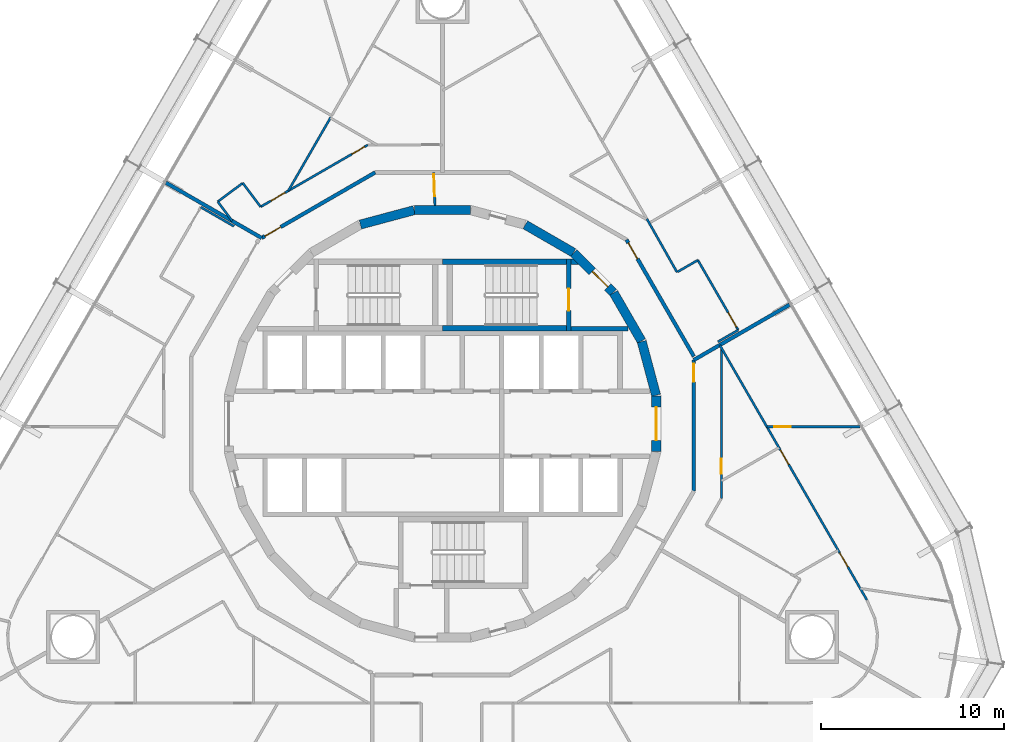
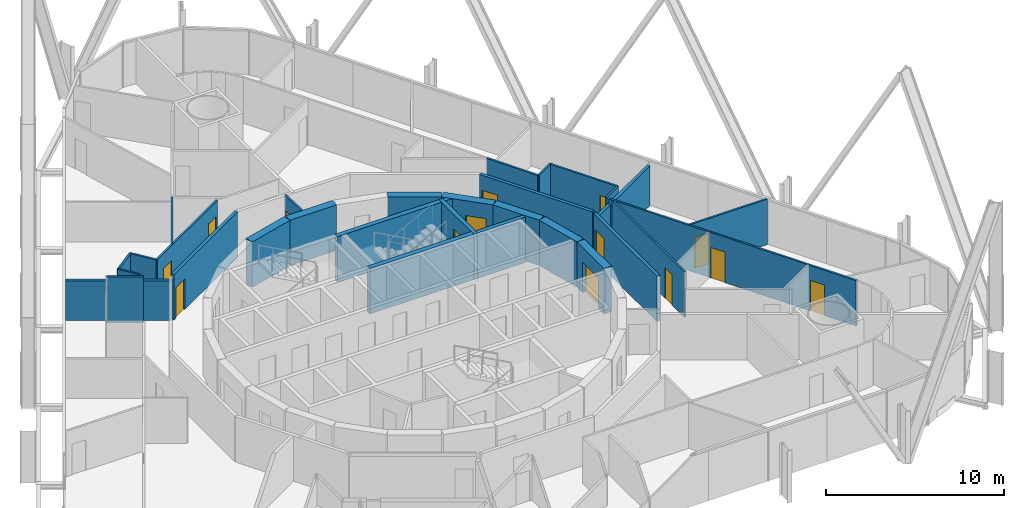
# One storey, part 18 of 21: 32 walls, 14 doors, 14 openings.
"""IFC4 building model written with IfcOpenShell, lengths in metres."""

from ifc_helpers import new_model, si_unit, direction, frame, frame_2d, origin, place, context, subcontext, project, spatial, polyline, rectangle, outline, extrude, material, layer, layer_set, type_object, element, fill, save


model = new_model("IFC4")

# Units and contexts
model_context = context("Model", 3, precision=1e-05, world=origin(), true_north=direction((0.0, 1.0)))
body_context = subcontext(model_context, "Body", "Model", "MODEL_VIEW")
ifc_project = project(units=[si_unit("LENGTHUNIT", "METRE"), si_unit("AREAUNIT", "SQUARE_METRE"), si_unit("VOLUMEUNIT", "CUBIC_METRE"), si_unit("PLANEANGLEUNIT", "RADIAN"), si_unit("MASSUNIT", "GRAM", prefix="KILO")], contexts=[model_context])

# Site, building, storey
site_placement = place(None, origin())
site = spatial("IfcSite", under=ifc_project, at=site_placement, CompositionType="ELEMENT")
building_placement = place(site_placement, origin())
building = spatial("IfcBuilding", under=site, at=building_placement, Name="Spindle Arch Residences", CompositionType="ELEMENT")
storey_placement = place(building_placement, frame((0.0, 0.0, 38.39990234375)))
storey = spatial("IfcBuildingStorey", under=building, at=storey_placement, Name="L07", CompositionType="ELEMENT", Elevation=38.39990234375)

# Wall, opening, door
ifc_material_1 = material(Name="Concrete C50/60", Category="concrete")
ifc_layer_1 = layer(ifc_material_1, 0.5)
ifc_layer_set_1 = layer_set([ifc_layer_1], Name="Core outline wall 500")
wall_type_1 = type_object("IfcWallType", Name="Core outline wall 500", PredefinedType="SHEAR", material=ifc_layer_set_1)
wall_1_placement = place(storey_placement, frame((11.647216796875, -1.516357421875, 0.0), z_axis=(0.0, 0.0, 1.0), x_axis=(0.0, 1.0, 0.0)))
wall_1 = element("IfcWall", 1, at=wall_1_placement, inside=storey, type_object=wall_type_1, Name="Core outline wall 6", PredefinedType="SHEAR", context=body_context, shape_type="SweptSolid", body=[
    extrude(rectangle(XDim=3.03271484375, YDim=0.5, at=frame_2d((1.516357421875, 0.0))), origin(), (0.0, 0.0, 1.0), 3.1201171875),
])
opening_1_placement = place(wall_1_placement, frame((0.6162109375, 0.0, 0.0)))
opening_1 = element("IfcOpeningElement", 2, at=opening_1_placement, cuts=wall_1, Name="Opening R1A0-FE01", PredefinedType="OPENING", context=body_context, shape_type="SweptSolid", body=[
    extrude(rectangle(XDim=1.800048828125, YDim=2.10009765625, at=frame_2d((0.89990234375, 1.050048828125))), frame((0.0, 0.260009765625, 0.0), z_axis=(0.0, -1.0, 0.0), x_axis=(1.0, 0.0, 0.0)), (0.0, 0.0, 1.0), 0.52001953125),
])
ifc_material_2 = material(Name="Steel, fire-resisting door", Category="steel")
door_type_1 = type_object("IfcDoorType", Name="Fire-lift lobby door 1800x2100", OperationType="DOUBLE_DOOR_SINGLE_SWING", PredefinedType="DOOR", material=ifc_material_2)
door_1_placement = place(opening_1_placement, origin())
door_1 = element("IfcDoor", 3, at=door_1_placement, inside=storey, type_object=door_type_1, Name="Fire-lift lobby door R1A0-FE01", OperationType="DOUBLE_DOOR_SINGLE_SWING", OverallHeight=2.10009765625, OverallWidth=1.800048828125, PredefinedType="DOOR", context=body_context, shape_type="SweptSolid", body=[
    extrude(rectangle(XDim=1.800048828125, YDim=2.10009765625, at=frame_2d((0.89990234375, 1.050048828125))), frame((0.0, 0.02490234375, 0.0), z_axis=(0.0, -1.0, 0.0), x_axis=(1.0, 0.0, 0.0)), (0.0, 0.0, 1.0), 0.050048828125),
])
fill(opening_1, door_1)

# Walls
for number, where, z_axis, x_axis, name in (
    (4, (11.642822265625, 1.5498046875, 0.0), (0.0, 0.0, 1.0), (-0.258734743916, 0.965948410781, 0.0), "Core outline wall 7"),
    (5, (10.84521484375, 4.510498046875, 0.0), (0.0, 0.0, 1.0), (-0.500087131594, 0.865975092491, 0.0), "Core outline wall 8"),
):
    element("IfcWall", number, at=place(storey_placement, frame(where, z_axis=z_axis, x_axis=x_axis)), inside=storey, type_object=wall_type_1, Name=name, PredefinedType="SHEAR", context=body_context, shape_type="SweptSolid", body=[
        extrude(rectangle(XDim=3.03271484375, YDim=0.5, at=frame_2d((1.516357421875, 0.0))), origin(), (0.0, 0.0, 1.0), 3.1201171875),
    ])

# Wall, opening, door
wall_2_placement = place(storey_placement, frame((9.30810546875, 7.163818359375, 0.0), z_axis=(0.0, 0.0, 1.0), x_axis=(-0.707106781187, 0.707106781187, 0.0)))
wall_2 = element("IfcWall", 6, at=wall_2_placement, inside=storey, type_object=wall_type_1, Name="Core outline wall 9", PredefinedType="SHEAR", context=body_context, shape_type="SweptSolid", body=[
    extrude(rectangle(XDim=3.032470703125, YDim=0.5, at=frame_2d((1.51611328125, 0.0))), origin(), (0.0, 0.0, 1.0), 3.1201171875),
])
opening_2_placement = place(wall_2_placement, frame((0.416259765625, 0.0, 0.0)))
opening_2 = element("IfcOpeningElement", 7, at=opening_2_placement, cuts=wall_2, Name="Opening R1A0-AD01", PredefinedType="OPENING", context=body_context, shape_type="SweptSolid", body=[
    extrude(rectangle(XDim=1.199951171875, YDim=2.10009765625, at=frame_2d((0.60009765625, 1.050048828125))), frame((0.0, 0.260009765625, 0.0), z_axis=(0.0, -1.0, 0.0), x_axis=(1.0, 0.0, 0.0)), (0.0, 0.0, 1.0), 0.52001953125),
])
ifc_material_3 = material(Name="Steel, fire-resisting door", Category="steel")
door_type_2 = type_object("IfcDoorType", Name="Stair airlock door 1200x2100", OperationType="SINGLE_SWING_LEFT", PredefinedType="DOOR", material=ifc_material_3)
door_2_placement = place(opening_2_placement, origin())
door_2 = element("IfcDoor", 8, at=door_2_placement, inside=storey, type_object=door_type_2, Name="Stair airlock door R1A0-AD01", OperationType="SINGLE_SWING_RIGHT", OverallHeight=2.10009765625, OverallWidth=1.199951171875, PredefinedType="DOOR", context=body_context, shape_type="SweptSolid", body=[
    extrude(rectangle(XDim=1.199951171875, YDim=2.10009765625, at=frame_2d((0.60009765625, 1.050048828125))), frame((0.0, 0.02490234375, 0.0), z_axis=(0.0, -1.0, 0.0), x_axis=(1.0, 0.0, 0.0)), (0.0, 0.0, 1.0), 0.050048828125),
])
fill(opening_2, door_2)

# Walls
for number, where, z_axis, x_axis, name in (
    (9, (7.13671875, 9.32861328125, 0.0), (0.0, 0.0, 1.0), (-0.865975092491, 0.500087131594, 0.0), "Core outline wall 10"),
    (10, (1.516357421875, 11.647216796875, 0.0), (0.0, 0.0, 1.0), (-1.0, 0.0, 0.0), "Core outline wall 12"),
    (11, (-1.5498046875, 11.642822265625, 0.0), (0.0, 0.0, 1.0), (-0.965948410781, -0.258734743916, 0.0), "Core outline wall 13"),
):
    element("IfcWall", number, at=place(storey_placement, frame(where, z_axis=z_axis, x_axis=x_axis)), inside=storey, type_object=wall_type_1, Name=name, PredefinedType="SHEAR", context=body_context, shape_type="SweptSolid", body=[
        extrude(rectangle(XDim=3.03271484375, YDim=0.5, at=frame_2d((1.516357421875, 0.0))), origin(), (0.0, 0.0, 1.0), 3.1201171875),
    ])

# Wall, opening, door
ifc_material_4 = material(Name="Plasterboard on steel studs", Category="steel")
ifc_layer_2 = layer(ifc_material_4, 0.1201171875)
ifc_layer_set_2 = layer_set([ifc_layer_2], Name="Corridor division wall 120")
wall_type_2 = type_object("IfcWallType", Name="Corridor division wall 120", PredefinedType="PARTITIONING", material=ifc_layer_set_2)
wall_3_placement = place(storey_placement, frame((-0.478515625, 13.699951171875, 0.0), z_axis=(0.0, 0.0, 1.0), x_axis=(0.034919103017, -0.999390142159, 0.0)))
wall_3 = element("IfcWall", 12, at=wall_3_placement, inside=storey, type_object=wall_type_2, Name="Corridor division wall R1A0-W001", PredefinedType="PARTITIONING", context=body_context, shape_type="SweptSolid", body=[
    extrude(rectangle(XDim=1.803955078125, YDim=0.1201171875, at=frame_2d((0.90185546875, 0.0))), origin(), (0.0, 0.0, 1.0), 3.1201171875),
])
opening_3_placement = place(wall_3_placement, frame((0.110107421875, 0.0, 0.0)))
opening_3 = element("IfcOpeningElement", 13, at=opening_3_placement, cuts=wall_3, Name="Opening R1A0-CD01", PredefinedType="OPENING", context=body_context, shape_type="SweptSolid", body=[
    extrude(rectangle(XDim=1.199951171875, YDim=2.10009765625, at=frame_2d((0.60009765625, 1.050048828125))), frame((0.0, 0.070068359375, 0.0), z_axis=(0.0, -1.0, 0.0), x_axis=(1.0, 0.0, 0.0)), (0.0, 0.0, 1.0), 0.14013671875),
])
ifc_material_5 = material(Name="Steel, fire-resisting door", Category="steel")
door_type_3 = type_object("IfcDoorType", Name="Corridor division door 1200x2100", OperationType="NOTDEFINED", PredefinedType="DOOR", material=ifc_material_5)
door_3_placement = place(opening_3_placement, origin())
door_3 = element("IfcDoor", 14, at=door_3_placement, inside=storey, type_object=door_type_3, Name="Corridor division door R1A0-CD01", OperationType="DOUBLE_DOOR_SINGLE_SWING", OverallHeight=2.10009765625, OverallWidth=1.199951171875, PredefinedType="DOOR", context=body_context, shape_type="SweptSolid", body=[
    extrude(rectangle(XDim=1.199951171875, YDim=2.10009765625, at=frame_2d((0.60009765625, 1.050048828125))), frame((0.0, 0.02490234375, 0.0), z_axis=(0.0, -1.0, 0.0), x_axis=(1.0, 0.0, 0.0)), (0.0, 0.0, 1.0), 0.050048828125),
])
fill(opening_3, door_3)

ifc_material_6 = material(Name="Calcium silicate block, plastered")
ifc_layer_3 = layer(ifc_material_6, 0.199951171875)
ifc_layer_set_3 = layer_set([ifc_layer_3], Name="Corridor wall 200")
wall_type_3 = type_object("IfcWallType", Name="Corridor wall 200", PredefinedType="STANDARD", material=ifc_layer_set_3)
wall_4_placement = place(storey_placement, frame((13.699951171875, 3.6708984375, 0.0), z_axis=(0.0, 0.0, 1.0), x_axis=(-0.500001669485, 0.866024439905, 0.0)))
wall_4 = element("IfcWall", 15, at=wall_4_placement, inside=storey, type_object=wall_type_3, Name="Corridor wall R1A0-W004", PredefinedType="STANDARD", context=body_context, shape_type="SweptSolid", body=[
    extrude(rectangle(XDim=7.341796875, YDim=0.199951171875, at=frame_2d((3.6708984375, 0.0))), origin(), (0.0, 0.0, 1.0), 3.1201171875),
])
opening_4_placement = place(wall_4_placement, frame((6.141845703125, 0.0, 0.0)))
opening_4 = element("IfcOpeningElement", 16, at=opening_4_placement, cuts=wall_4, Name="Opening R1A0-FD01", PredefinedType="OPENING", context=body_context, shape_type="SweptSolid", body=[
    extrude(rectangle(XDim=1.0, YDim=2.10009765625, at=frame_2d((0.5, 1.050048828125))), frame((0.0, 0.10986328125, 0.0), z_axis=(0.0, -1.0, 0.0), x_axis=(1.0, 0.0, 0.0)), (0.0, 0.0, 1.0), 0.219970703125),
])
ifc_material_7 = material(Name="Timber, fire-resisting door set", Category="wood")
door_type_4 = type_object("IfcDoorType", Name="Flat entrance door 1000x2100", OperationType="NOTDEFINED", PredefinedType="DOOR", material=ifc_material_7)
door_4_placement = place(opening_4_placement, origin())
door_4 = element("IfcDoor", 17, at=door_4_placement, inside=storey, type_object=door_type_4, Name="Flat entrance door R1A0-FD01", OperationType="SINGLE_SWING_RIGHT", OverallHeight=2.10009765625, OverallWidth=1.0, PredefinedType="DOOR", context=body_context, shape_type="SweptSolid", body=[
    extrude(rectangle(XDim=1.0, YDim=2.10009765625, at=frame_2d((0.5, 1.050048828125))), frame((0.0, 0.02490234375, 0.0), z_axis=(0.0, -1.0, 0.0), x_axis=(1.0, 0.0, 0.0)), (0.0, 0.0, 1.0), 0.050048828125),
])
fill(opening_4, door_4)

wall_5_placement = place(storey_placement, frame((13.699951171875, -3.6708984375, 0.0), z_axis=(0.0, 0.0, 1.0), x_axis=(0.0, 1.0, 0.0)))
wall_5 = element("IfcWall", 18, at=wall_5_placement, inside=storey, type_object=wall_type_3, Name="Corridor wall R1A0-W008", PredefinedType="STANDARD", context=body_context, shape_type="SweptSolid", body=[
    extrude(rectangle(XDim=7.146484375, YDim=0.199951171875, at=frame_2d((3.5732421875, 0.0))), origin(), (0.0, 0.0, 1.0), 3.1201171875),
])
opening_5_placement = place(wall_5_placement, frame((5.946533203125, 0.0, 0.0)))
opening_5 = element("IfcOpeningElement", 19, at=opening_5_placement, cuts=wall_5, Name="Opening R1A0-FD06", PredefinedType="OPENING", context=body_context, shape_type="SweptSolid", body=[
    extrude(rectangle(XDim=1.0, YDim=2.10009765625, at=frame_2d((0.5, 1.050048828125))), frame((0.0, 0.10986328125, 0.0), z_axis=(0.0, -1.0, 0.0), x_axis=(1.0, 0.0, 0.0)), (0.0, 0.0, 1.0), 0.219970703125),
])
door_5_placement = place(opening_5_placement, origin())
door_5 = element("IfcDoor", 20, at=door_5_placement, inside=storey, type_object=door_type_4, Name="Flat entrance door R1A0-FD06", OperationType="SINGLE_SWING_LEFT", OverallHeight=2.10009765625, OverallWidth=1.0, PredefinedType="DOOR", context=body_context, shape_type="SweptSolid", body=[
    extrude(rectangle(XDim=1.0, YDim=2.10009765625, at=frame_2d((0.5, 1.050048828125))), frame((0.0, 0.02490234375, 0.0), z_axis=(0.0, -1.0, 0.0), x_axis=(1.0, 0.0, 0.0)), (0.0, 0.0, 1.0), 0.050048828125),
])
fill(opening_5, door_5)

wall_6_placement = place(storey_placement, frame((-3.6708984375, 13.699951171875, 0.0), z_axis=(0.0, 0.0, 1.0), x_axis=(-0.866031419417, -0.499989580474, 0.0)))
wall_6 = element("IfcWall", 21, at=wall_6_placement, inside=storey, type_object=wall_type_3, Name="Corridor wall R1A0-W009", PredefinedType="STANDARD", context=body_context, shape_type="SweptSolid", body=[
    extrude(rectangle(XDim=7.146728515625, YDim=0.199951171875, at=frame_2d((3.5732421875, 0.0))), origin(), (0.0, 0.0, 1.0), 3.1201171875),
])
opening_6_placement = place(wall_6_placement, frame((5.946533203125, 0.0, 0.0)))
opening_6 = element("IfcOpeningElement", 22, at=opening_6_placement, cuts=wall_6, Name="Opening R1A0-FD02", PredefinedType="OPENING", context=body_context, shape_type="SweptSolid", body=[
    extrude(rectangle(XDim=1.0, YDim=2.10009765625, at=frame_2d((0.5, 1.050048828125))), frame((0.0, 0.10986328125, 0.0), z_axis=(0.0, -1.0, 0.0), x_axis=(1.0, 0.0, 0.0)), (0.0, 0.0, 1.0), 0.219970703125),
])
door_6_placement = place(opening_6_placement, origin())
door_6 = element("IfcDoor", 23, at=door_6_placement, inside=storey, type_object=door_type_4, Name="Flat entrance door R1A0-FD02", OperationType="SINGLE_SWING_LEFT", OverallHeight=2.10009765625, OverallWidth=1.0, PredefinedType="DOOR", context=body_context, shape_type="SweptSolid", body=[
    extrude(rectangle(XDim=1.0, YDim=2.10009765625, at=frame_2d((0.5, 1.050048828125))), frame((0.0, 0.02490234375, 0.0), z_axis=(0.0, -1.0, 0.0), x_axis=(1.0, 0.0, 0.0)), (0.0, 0.0, 1.0), 0.050048828125),
])
fill(opening_6, door_6)

# Wall
ifc_material_8 = material(Name="Plasterboard on steel studs", Category="steel")
ifc_layer_4 = layer(ifc_material_8, 0.1201171875)
ifc_layer_set_4 = layer_set([ifc_layer_4], Name="Flat partition 120")
wall_type_4 = type_object("IfcWallType", Name="Flat partition 120", PredefinedType="PARTITIONING", material=ifc_layer_set_4)
wall_7_placement = place(storey_placement, frame((15.007080078125, 4.466796875, 0.0), z_axis=(0.0, 0.0, 1.0), x_axis=(0.86599869919, 0.500046250861, 0.0)))
element("IfcWall", 24, at=wall_7_placement, inside=storey, type_object=wall_type_4, Name="Flat partition R1A0-W027", PredefinedType="PARTITIONING", context=body_context, shape_type="SweptSolid", body=[
    extrude(rectangle(XDim=1.28369140625, YDim=0.1201171875, at=frame_2d((0.641845703125, 0.0))), origin(), (0.0, 0.0, 1.0), 3.1201171875),
])

# Wall, opening, door
wall_8_placement = place(storey_placement, frame((16.11865234375, 5.108642578125, 0.0), z_axis=(0.0, 0.0, 1.0), x_axis=(-0.499988222896, 0.866032203192, 0.0)))
wall_8 = element("IfcWall", 25, at=wall_8_placement, inside=storey, type_object=wall_type_4, Name="Flat partition R1A0-W028", PredefinedType="PARTITIONING", context=body_context, shape_type="SweptSolid", body=[
    extrude(rectangle(XDim=4.39990234375, YDim=0.1201171875, at=frame_2d((2.199951171875, 0.0))), origin(), (0.0, 0.0, 1.0), 3.1201171875),
])
opening_7_placement = place(wall_8_placement, frame((0.199951171875, 0.0, 0.0)))
opening_7 = element("IfcOpeningElement", 26, at=opening_7_placement, cuts=wall_8, Name="Opening R1A0-ID01", PredefinedType="OPENING", context=body_context, shape_type="SweptSolid", body=[
    extrude(rectangle(XDim=0.89990234375, YDim=2.10009765625, at=frame_2d((0.449951171875, 1.050048828125))), frame((0.0, 0.070068359375, 0.0), z_axis=(0.0, -1.0, 0.0), x_axis=(1.0, 0.0, 0.0)), (0.0, 0.0, 1.0), 0.14013671875),
])
ifc_material_9 = material(Name="Timber door set", Category="wood")
door_type_5 = type_object("IfcDoorType", Name="Room door 900x2100", OperationType="NOTDEFINED", PredefinedType="DOOR", material=ifc_material_9)
door_7_placement = place(opening_7_placement, origin())
door_7 = element("IfcDoor", 27, at=door_7_placement, inside=storey, type_object=door_type_5, Name="Room door R1A0-ID01", OperationType="SINGLE_SWING_LEFT", OverallHeight=2.10009765625, OverallWidth=0.89990234375, PredefinedType="DOOR", context=body_context, shape_type="SweptSolid", body=[
    extrude(rectangle(XDim=0.89990234375, YDim=2.10009765625, at=frame_2d((0.449951171875, 1.050048828125))), frame((0.0, 0.02490234375, 0.0), z_axis=(0.0, -1.0, 0.0), x_axis=(1.0, 0.0, 0.0)), (0.0, 0.0, 1.0), 0.050048828125),
])
fill(opening_7, door_7)

# Walls
wall_9_placement = place(storey_placement, frame((13.918701171875, 8.919189453125, 0.0), z_axis=(0.0, 0.0, 1.0), x_axis=(-0.86599869919, -0.500046250861, 0.0)))
element("IfcWall", 28, at=wall_9_placement, inside=storey, type_object=wall_type_4, Name="Flat partition R1A0-W029", PredefinedType="PARTITIONING", context=body_context, shape_type="SweptSolid", body=[
    extrude(rectangle(XDim=1.28369140625, YDim=0.1201171875, at=frame_2d((0.641845703125, 0.0))), origin(), (0.0, 0.0, 1.0), 3.1201171875),
])
wall_10_placement = place(storey_placement, frame((12.78125, 8.26220703125, 0.0), z_axis=(0.0, 0.0, 1.0), x_axis=(-0.492233259633, 0.870463335305, 0.0)))
element("IfcWall", 29, at=wall_10_placement, inside=storey, type_object=wall_type_4, Name="Flat partition R1A0-W030", PredefinedType="PARTITIONING", context=body_context, shape_type="SweptSolid", body=[
    extrude(rectangle(XDim=3.33642578125, YDim=0.1201171875, at=frame_2d((1.668212890625, 0.0))), origin(), (0.0, 0.0, 1.0), 3.1201171875),
])

# Wall, openings, doors
wall_11_placement = place(storey_placement, frame((-4.07275390625, 15.199951171875, 0.0), z_axis=(0.0, 0.0, 1.0), x_axis=(-0.866024802457, -0.500001041529, 0.0)))
wall_11 = element("IfcWall", 30, at=wall_11_placement, inside=storey, type_object=wall_type_4, Name="Flat partition R1A0-W044", PredefinedType="PARTITIONING", context=body_context, shape_type="SweptSolid", body=[
    extrude(rectangle(XDim=6.75146484375, YDim=0.1201171875, at=frame_2d((3.375732421875, 0.0))), origin(), (0.0, 0.0, 1.0), 3.1201171875),
])
opening_8_placement = place(wall_11_placement, frame((0.199951171875, 0.0, 0.0)))
opening_8 = element("IfcOpeningElement", 31, at=opening_8_placement, cuts=wall_11, Name="Opening R1A0-BD02", PredefinedType="OPENING", context=body_context, shape_type="SweptSolid", body=[
    extrude(rectangle(XDim=0.800048828125, YDim=2.10009765625, at=frame_2d((0.39990234375, 1.050048828125))), frame((0.0, 0.070068359375, 0.0), z_axis=(0.0, -1.0, 0.0), x_axis=(1.0, 0.0, 0.0)), (0.0, 0.0, 1.0), 0.14013671875),
])
opening_9_placement = place(wall_11_placement, frame((5.20556640625, 0.0, 0.0)))
opening_9 = element("IfcOpeningElement", 32, at=opening_9_placement, cuts=wall_11, Name="Opening R1A0-ID08", PredefinedType="OPENING", context=body_context, shape_type="SweptSolid", body=[
    extrude(rectangle(XDim=0.89990234375, YDim=2.10009765625, at=frame_2d((0.449951171875, 1.050048828125))), frame((0.0, 0.070068359375, 0.0), z_axis=(0.0, -1.0, 0.0), x_axis=(1.0, 0.0, 0.0)), (0.0, 0.0, 1.0), 0.14013671875),
])
ifc_material_10 = material(Name="Timber door set", Category="wood")
door_type_6 = type_object("IfcDoorType", Name="Bathroom door 800x2100", OperationType="NOTDEFINED", PredefinedType="DOOR", material=ifc_material_10)
door_8_placement = place(opening_8_placement, origin())
door_8 = element("IfcDoor", 33, at=door_8_placement, inside=storey, type_object=door_type_6, Name="Bathroom door R1A0-BD02", OperationType="SINGLE_SWING_LEFT", OverallHeight=2.10009765625, OverallWidth=0.800048828125, PredefinedType="DOOR", context=body_context, shape_type="SweptSolid", body=[
    extrude(rectangle(XDim=0.800048828125, YDim=2.10009765625, at=frame_2d((0.39990234375, 1.050048828125))), frame((0.0, 0.02490234375, 0.0), z_axis=(0.0, -1.0, 0.0), x_axis=(1.0, 0.0, 0.0)), (0.0, 0.0, 1.0), 0.050048828125),
])
fill(opening_8, door_8)
door_9_placement = place(opening_9_placement, origin())
door_9 = element("IfcDoor", 34, at=door_9_placement, inside=storey, type_object=door_type_5, Name="Room door R1A0-ID08", OperationType="SINGLE_SWING_LEFT", OverallHeight=2.10009765625, OverallWidth=0.89990234375, PredefinedType="DOOR", context=body_context, shape_type="SweptSolid", body=[
    extrude(rectangle(XDim=0.89990234375, YDim=2.10009765625, at=frame_2d((0.449951171875, 1.050048828125))), frame((0.0, 0.02490234375, 0.0), z_axis=(0.0, -1.0, 0.0), x_axis=(1.0, 0.0, 0.0)), (0.0, 0.0, 1.0), 0.050048828125),
])
fill(opening_9, door_9)

# Walls
wall_12_placement = place(storey_placement, frame((-9.919677734375, 11.82421875, 0.0), z_axis=(0.0, 0.0, 1.0), x_axis=(-0.597853402964, 0.801605456921, 0.0)))
element("IfcWall", 35, at=wall_12_placement, inside=storey, type_object=wall_type_4, Name="Flat partition R1A0-W045", PredefinedType="PARTITIONING", context=body_context, shape_type="SweptSolid", body=[
    extrude(rectangle(XDim=1.62109375, YDim=0.1201171875, at=frame_2d((0.810546875, 0.0))), origin(), (0.0, 0.0, 1.0), 3.1201171875),
])
wall_13_placement = place(storey_placement, frame((-10.888916015625, 13.123779296875, 0.0), z_axis=(0.0, 0.0, 1.0), x_axis=(-0.801616976804, -0.597837956724, 0.0)))
element("IfcWall", 36, at=wall_13_placement, inside=storey, type_object=wall_type_4, Name="Flat partition R1A0-W046", PredefinedType="PARTITIONING", context=body_context, shape_type="SweptSolid", body=[
    extrude(rectangle(XDim=1.699951171875, YDim=0.1201171875, at=frame_2d((0.85009765625, 0.0))), origin(), (0.0, 0.0, 1.0), 3.1201171875),
])
wall_14_placement = place(storey_placement, frame((-12.251708984375, 12.107421875, 0.0), z_axis=(0.0, 0.0, 1.0), x_axis=(0.597827926538, -0.801624457119, 0.0)))
element("IfcWall", 37, at=wall_14_placement, inside=storey, type_object=wall_type_4, Name="Flat partition R1A0-W047", PredefinedType="PARTITIONING", context=body_context, shape_type="SweptSolid", body=[
    extrude(rectangle(XDim=1.314208984375, YDim=0.1201171875, at=frame_2d((0.6572265625, 0.0))), origin(), (0.0, 0.0, 1.0), 3.1201171875),
])
wall_15_placement = place(storey_placement, frame((-6.093994140625, 16.70458984375, 0.0), z_axis=(0.0, 0.0, 1.0), x_axis=(-0.500014747178, -0.86601688933, 0.0)))
element("IfcWall", 38, at=wall_15_placement, inside=storey, type_object=wall_type_4, Name="Flat partition R1A0-W055", PredefinedType="PARTITIONING", context=body_context, shape_type="SweptSolid", body=[
    extrude(rectangle(XDim=4.627197265625, YDim=0.1201171875, at=frame_2d((2.3134765625, 0.0))), origin(), (0.0, 0.0, 1.0), 3.1201171875),
])
wall_16_placement = place(storey_placement, frame((-11.371826171875, 10.76318359375, 0.0), z_axis=(0.0, 0.0, 1.0), x_axis=(-0.866041603473, 0.499971940267, 0.0)))
element("IfcWall", 39, at=wall_16_placement, inside=storey, type_object=wall_type_4, Name="Flat partition R1A0-W056", PredefinedType="PARTITIONING", context=body_context, shape_type="SweptSolid", body=[
    extrude(rectangle(XDim=2.08935546875, YDim=0.1201171875, at=frame_2d((1.044677734375, 0.0))), origin(), (0.0, 0.0, 1.0), 3.1201171875),
])

# Wall, opening, door
wall_17_placement = place(storey_placement, frame((15.199951171875, -4.07275390625, 0.0), z_axis=(0.0, 0.0, 1.0), x_axis=(0.0, 1.0, 0.0)))
wall_17 = element("IfcWall", 40, at=wall_17_placement, inside=storey, type_object=wall_type_4, Name="Flat partition R1A0-W104", PredefinedType="PARTITIONING", context=body_context, shape_type="SweptSolid", body=[
    extrude(rectangle(XDim=8.1455078125, YDim=0.1201171875, at=frame_2d((4.07275390625, 0.0))), origin(), (0.0, 0.0, 1.0), 3.1201171875),
])
opening_10_placement = place(wall_17_placement, frame((1.357177734375, 0.0, 0.0)))
opening_10 = element("IfcOpeningElement", 41, at=opening_10_placement, cuts=wall_17, Name="Opening R1A0-BD07", PredefinedType="OPENING", context=body_context, shape_type="SweptSolid", body=[
    extrude(rectangle(XDim=0.800048828125, YDim=2.10009765625, at=frame_2d((0.39990234375, 1.050048828125))), frame((0.0, 0.070068359375, 0.0), z_axis=(0.0, -1.0, 0.0), x_axis=(1.0, 0.0, 0.0)), (0.0, 0.0, 1.0), 0.14013671875),
])
door_10_placement = place(opening_10_placement, origin())
door_10 = element("IfcDoor", 42, at=door_10_placement, inside=storey, type_object=door_type_6, Name="Bathroom door R1A0-BD07", OperationType="SINGLE_SWING_LEFT", OverallHeight=2.10009765625, OverallWidth=0.800048828125, PredefinedType="DOOR", context=body_context, shape_type="SweptSolid", body=[
    extrude(rectangle(XDim=0.800048828125, YDim=2.10009765625, at=frame_2d((0.39990234375, 1.050048828125))), frame((0.0, 0.02490234375, 0.0), z_axis=(0.0, -1.0, 0.0), x_axis=(1.0, 0.0, 0.0)), (0.0, 0.0, 1.0), 0.050048828125),
])
fill(opening_10, door_10)

wall_18_placement = place(storey_placement, frame((17.679443359375, -0.161865234375, 0.0), z_axis=(0.0, 0.0, 1.0), x_axis=(1.0, 0.0, 0.0)))
wall_18 = element("IfcWall", 43, at=wall_18_placement, inside=storey, type_object=wall_type_4, Name="Flat partition R1A0-W105", PredefinedType="PARTITIONING", context=body_context, shape_type="SweptSolid", body=[
    extrude(rectangle(XDim=5.08056640625, YDim=0.1201171875, at=frame_2d((2.540283203125, 0.0))), origin(), (0.0, 0.0, 1.0), 3.1201171875),
])
opening_11_placement = place(wall_18_placement, frame((0.39990234375, 0.0, 0.0)))
opening_11 = element("IfcOpeningElement", 44, at=opening_11_placement, cuts=wall_18, Name="Opening R1A0-ID33", PredefinedType="OPENING", context=body_context, shape_type="SweptSolid", body=[
    extrude(rectangle(XDim=0.89990234375, YDim=2.10009765625, at=frame_2d((0.449951171875, 1.050048828125))), frame((0.0, 0.070068359375, 0.0), z_axis=(0.0, -1.0, 0.0), x_axis=(1.0, 0.0, 0.0)), (0.0, 0.0, 1.0), 0.14013671875),
])
door_11_placement = place(opening_11_placement, origin())
door_11 = element("IfcDoor", 45, at=door_11_placement, inside=storey, type_object=door_type_5, Name="Room door R1A0-ID33", OperationType="SINGLE_SWING_LEFT", OverallHeight=2.10009765625, OverallWidth=0.89990234375, PredefinedType="DOOR", context=body_context, shape_type="SweptSolid", body=[
    extrude(rectangle(XDim=0.89990234375, YDim=2.10009765625, at=frame_2d((0.449951171875, 1.050048828125))), frame((0.0, 0.02490234375, 0.0), z_axis=(0.0, -1.0, 0.0), x_axis=(1.0, 0.0, 0.0)), (0.0, 0.0, 1.0), 0.050048828125),
])
fill(opening_11, door_11)

# Wall
wall_19_placement = place(storey_placement, frame((15.109619140625, 4.289306640625, 0.0), z_axis=(0.0, 0.0, 1.0), x_axis=(0.500001702147, -0.866024421047, 0.0)))
element("IfcWall", 46, at=wall_19_placement, inside=storey, type_object=wall_type_4, Name="Flat partition R1A0-W106", PredefinedType="PARTITIONING", context=body_context, shape_type="SweptSolid", body=[
    extrude(rectangle(XDim=6.4580078125, YDim=0.1201171875, at=frame_2d((3.22900390625, 0.0))), origin(), (0.0, 0.0, 1.0), 3.1201171875),
])

# Wall, openings, doors
wall_20_placement = place(storey_placement, frame((18.338623046875, -1.303466796875, 0.0), z_axis=(0.0, 0.0, 1.0), x_axis=(0.499989127021, -0.866031681211, 0.0)))
wall_20 = element("IfcWall", 47, at=wall_20_placement, inside=storey, type_object=wall_type_4, Name="Flat partition R1A0-W107", PredefinedType="PARTITIONING", context=body_context, shape_type="SweptSolid", body=[
    extrude(rectangle(XDim=9.589111328125, YDim=0.1201171875, at=frame_2d((4.79443359375, 0.0))), origin(), (0.0, 0.0, 1.0), 3.1201171875),
])
opening_12_placement = place(wall_20_placement, frame((0.159912109375, 0.0, 0.0)))
opening_12 = element("IfcOpeningElement", 48, at=opening_12_placement, cuts=wall_20, Name="Opening R1A0-ID32", PredefinedType="OPENING", context=body_context, shape_type="SweptSolid", body=[
    extrude(rectangle(XDim=0.89990234375, YDim=2.10009765625, at=frame_2d((0.449951171875, 1.050048828125))), frame((0.0, 0.070068359375, 0.0), z_axis=(0.0, -1.0, 0.0), x_axis=(1.0, 0.0, 0.0)), (0.0, 0.0, 1.0), 0.14013671875),
])
opening_13_placement = place(wall_20_placement, frame((6.6181640625, 0.0, 0.0)))
opening_13 = element("IfcOpeningElement", 49, at=opening_13_placement, cuts=wall_20, Name="Opening R1A0-ID35", PredefinedType="OPENING", context=body_context, shape_type="SweptSolid", body=[
    extrude(rectangle(XDim=0.89990234375, YDim=2.10009765625, at=frame_2d((0.449951171875, 1.050048828125))), frame((0.0, 0.070068359375, 0.0), z_axis=(0.0, -1.0, 0.0), x_axis=(1.0, 0.0, 0.0)), (0.0, 0.0, 1.0), 0.14013671875),
])
door_12_placement = place(opening_12_placement, origin())
door_12 = element("IfcDoor", 50, at=door_12_placement, inside=storey, type_object=door_type_5, Name="Room door R1A0-ID32", OperationType="SINGLE_SWING_LEFT", OverallHeight=2.10009765625, OverallWidth=0.89990234375, PredefinedType="DOOR", context=body_context, shape_type="SweptSolid", body=[
    extrude(rectangle(XDim=0.89990234375, YDim=2.10009765625, at=frame_2d((0.449951171875, 1.050048828125))), frame((0.0, 0.02490234375, 0.0), z_axis=(0.0, -1.0, 0.0), x_axis=(1.0, 0.0, 0.0)), (0.0, 0.0, 1.0), 0.050048828125),
])
fill(opening_12, door_12)
door_13_placement = place(opening_13_placement, origin())
door_13 = element("IfcDoor", 51, at=door_13_placement, inside=storey, type_object=door_type_5, Name="Room door R1A0-ID35", OperationType="SINGLE_SWING_RIGHT", OverallHeight=2.10009765625, OverallWidth=0.89990234375, PredefinedType="DOOR", context=body_context, shape_type="SweptSolid", body=[
    extrude(rectangle(XDim=0.89990234375, YDim=2.10009765625, at=frame_2d((0.449951171875, 1.050048828125))), frame((0.0, 0.02490234375, 0.0), z_axis=(0.0, -1.0, 0.0), x_axis=(1.0, 0.0, 0.0)), (0.0, 0.0, 1.0), 0.050048828125),
])
fill(opening_13, door_13)

# Walls
ifc_material_11 = material(Name="Calcium silicate block, plastered")
ifc_layer_5 = layer(ifc_material_11, 0.199951171875)
ifc_layer_set_5 = layer_set([ifc_layer_5], Name="Flat party wall 200 under beam 2730")
wall_type_5 = type_object("IfcWallType", Name="Flat party wall 200 under beam 2730", PredefinedType="STANDARD", material=ifc_layer_set_5)
wall_21_placement = place(storey_placement, frame((13.699951171875, 3.4755859375, 0.0), z_axis=(0.0, 0.0, 1.0), x_axis=(0.866013584312, 0.500020471368, 0.0)))
element("IfcWall", 52, at=wall_21_placement, inside=storey, type_object=wall_type_5, Name="Flat party wall R1A0-W018", PredefinedType="STANDARD", context=body_context, shape_type="SweptSolid", body=[
    extrude(rectangle(XDim=6.027587890625, YDim=0.199951171875, at=frame_2d((3.013671875, 0.0))), origin(), (0.0, 0.0, 1.0), 2.72998046875),
])
wall_22_placement = place(storey_placement, frame((-15.080078125, 13.140380859375, 0.0), z_axis=(0.0, 0.0, 1.0), x_axis=(0.86603112331, -0.49999009336, 0.0)))
element("IfcWall", 53, at=wall_22_placement, inside=storey, type_object=wall_type_5, Name="Flat party wall R1A0-W021", PredefinedType="STANDARD", context=body_context, shape_type="SweptSolid", body=[
    extrude(rectangle(XDim=6.02734375, YDim=0.199951171875, at=frame_2d((3.013671875, 0.0))), origin(), (0.0, 0.0, 1.0), 2.72998046875),
])
ifc_material_12 = material(Name="Concrete C40/50", Category="concrete")
ifc_layer_6 = layer(ifc_material_12, 0.25)
ifc_layer_set_6 = layer_set([ifc_layer_6], Name="Stair airlock wall 250")
wall_type_6 = type_object("IfcWallType", Name="Stair airlock wall 250", PredefinedType="SHEAR", material=ifc_layer_set_6)
wall_23_placement = place(storey_placement, frame((7.0, 5.175048828125, 0.0), z_axis=(0.0, 0.0, 1.0), x_axis=(1.0, 0.0, 0.0)))
element("IfcWall", 54, at=wall_23_placement, inside=storey, type_object=wall_type_6, Name="Stair ST-1 airlock wall S", PredefinedType="SHEAR", context=body_context, shape_type="SweptSolid", body=[
    extrude(rectangle(XDim=3.10009765625, YDim=0.25, at=frame_2d((1.550048828125, 0.0))), origin(), (0.0, 0.0, 1.0), 3.1201171875),
])
ifc_material_13 = material(Name="Concrete C40/50", Category="concrete")
wall_type_7 = type_object("IfcWallType", Name="Stair airlock wall profile", PredefinedType="SHEAR", material=ifc_material_13)
wall_24_placement = place(storey_placement, origin())
element("IfcWall", 55, at=wall_24_placement, inside=storey, type_object=wall_type_7, Name="Stair ST-1 airlock wall N", PredefinedType="SHEAR", context=body_context, shape_type="SweptSolid", body=[
    extrude(outline(polyline([(7.4482421875, 8.669921875), (7.0, 8.669921875), (7.0, 8.969970703125), (7.148193359375, 8.969970703125), (7.4482421875, 8.669921875)])), origin(), (0.0, 0.0, 1.0), 3.1201171875),
])

# Wall, opening, door
ifc_material_14 = material(Name="Concrete C50/60", Category="concrete")
ifc_layer_7 = layer(ifc_material_14, 0.25)
ifc_layer_set_7 = layer_set([ifc_layer_7], Name="Stair enclosure wall 250")
wall_type_8 = type_object("IfcWallType", Name="Stair enclosure wall 250", PredefinedType="SHEAR", material=ifc_layer_set_7)
wall_25_placement = place(storey_placement, frame((6.875, 5.050048828125, 0.0), z_axis=(0.0, 0.0, 1.0), x_axis=(0.0, 1.0, 0.0)))
wall_25 = element("IfcWall", 56, at=wall_25_placement, inside=storey, type_object=wall_type_8, Name="Stair ST-1 door wall", PredefinedType="SHEAR", context=body_context, shape_type="SweptSolid", body=[
    extrude(rectangle(XDim=3.919921875, YDim=0.25, at=frame_2d((1.9599609375, 0.0))), origin(), (0.0, 0.0, 1.0), 3.1201171875),
])
opening_14_placement = place(wall_25_placement, frame((1.110107421875, 0.0, 0.0)))
opening_14 = element("IfcOpeningElement", 57, at=opening_14_placement, cuts=wall_25, Name="Opening R1A0-SD01", PredefinedType="OPENING", context=body_context, shape_type="SweptSolid", body=[
    extrude(rectangle(XDim=1.199951171875, YDim=2.10009765625, at=frame_2d((0.60009765625, 1.050048828125))), frame((0.0, 0.135009765625, 0.0), z_axis=(0.0, -1.0, 0.0), x_axis=(1.0, 0.0, 0.0)), (0.0, 0.0, 1.0), 0.27001953125),
])
ifc_material_15 = material(Name="Steel, fire-resisting door", Category="steel")
door_type_7 = type_object("IfcDoorType", Name="Stair door 1200x2100", OperationType="SINGLE_SWING_RIGHT", PredefinedType="DOOR", material=ifc_material_15)
door_14_placement = place(opening_14_placement, origin())
door_14 = element("IfcDoor", 58, at=door_14_placement, inside=storey, type_object=door_type_7, Name="Stair door R1A0-SD01", OperationType="SINGLE_SWING_LEFT", OverallHeight=2.10009765625, OverallWidth=1.199951171875, PredefinedType="DOOR", context=body_context, shape_type="SweptSolid", body=[
    extrude(rectangle(XDim=1.199951171875, YDim=2.10009765625, at=frame_2d((0.60009765625, 1.050048828125))), frame((0.0, 0.02490234375, 0.0), z_axis=(0.0, -1.0, 0.0), x_axis=(1.0, 0.0, 0.0)), (0.0, 0.0, 1.0), 0.050048828125),
])
fill(opening_14, door_14)

# Walls
ifc_material_16 = material(Name="Concrete C50/60", Category="concrete")
ifc_layer_8 = layer(ifc_material_16, 0.300048828125)
ifc_layer_set_8 = layer_set([ifc_layer_8], Name="Stair enclosure wall 300")
wall_type_9 = type_object("IfcWallType", Name="Stair enclosure wall 300", PredefinedType="SHEAR", material=ifc_layer_set_8)
for number, where, z_axis, x_axis, name in (
    (59, (0.0, 5.199951171875, 0.0), (0.0, 0.0, 1.0), (1.0, 0.0, 0.0), "Stair ST-1 enclosure wall S"),
    (60, (0.0, 8.820068359375, 0.0), (0.0, 0.0, 1.0), (1.0, 0.0, 0.0), "Stair ST-1 enclosure wall N"),
):
    element("IfcWall", number, at=place(storey_placement, frame(where, z_axis=z_axis, x_axis=x_axis)), inside=storey, type_object=wall_type_9, Name=name, PredefinedType="SHEAR", context=body_context, shape_type="SweptSolid", body=[
        extrude(rectangle(XDim=6.75, YDim=0.300048828125, at=frame_2d((3.375, 0.0))), origin(), (0.0, 0.0, 1.0), 3.1201171875),
    ])

save(model, "model.ifc")
